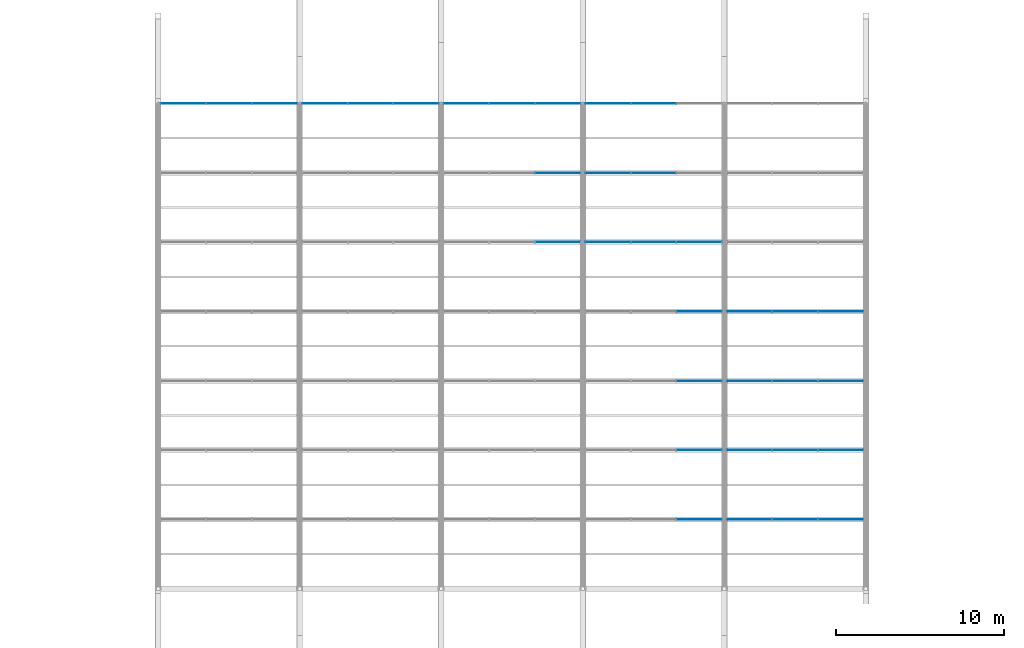
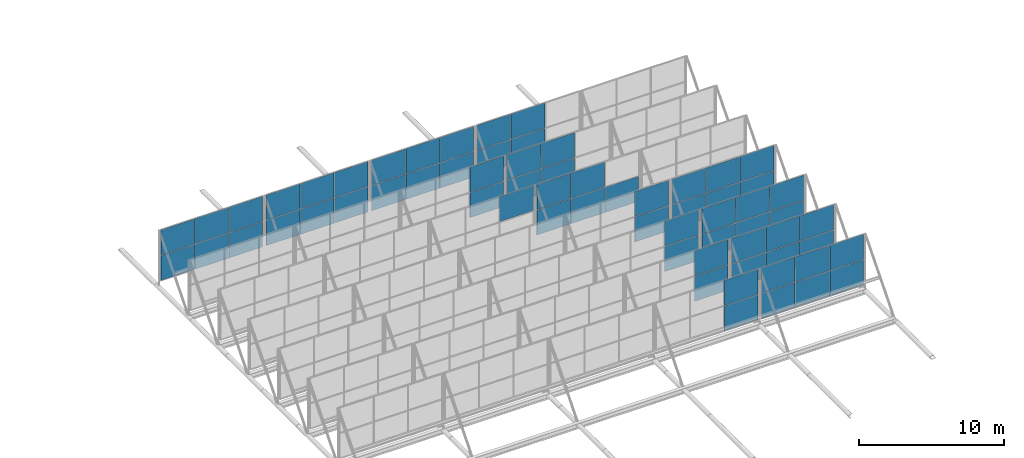
# One storey, part 66 of 77: 66 plates, 16 elements without a shape of their own.
"""IFC4 building model written with IfcOpenShell, lengths in metres."""

from ifc_helpers import new_model, si_unit, derived_unit, direction, frame, origin, origin_2d, place, context, subcontext, project, spatial, rectangle, extrude, material, layer, layer_set, type_object, element, aggregate, save


model = new_model("IFC4")

# Units and contexts
model_context = context("Model", 3, precision=1e-05, world=origin(), true_north=direction((0.0, 1.0)))
body_context = subcontext(model_context, "Body", "Model", "MODEL_VIEW")
ifc_project = project(units=[si_unit("LENGTHUNIT", "METRE"), si_unit("AREAUNIT", "SQUARE_METRE"), si_unit("VOLUMEUNIT", "CUBIC_METRE"), si_unit("PLANEANGLEUNIT", "RADIAN"), si_unit("MASSUNIT", "GRAM", prefix="KILO"), derived_unit("THERMALTRANSMITTANCEUNIT", [(si_unit("MASSUNIT", "GRAM", prefix="KILO"), 1), (si_unit("TIMEUNIT", "SECOND"), -3), (si_unit("THERMODYNAMICTEMPERATUREUNIT", "KELVIN"), -1)])], contexts=[model_context])

# Site, building, storey
site_placement = place(None, origin())
site = spatial("IfcSite", under=ifc_project, at=site_placement, CompositionType="ELEMENT")
building_placement = place(site_placement, origin())
building = spatial("IfcBuilding", under=site, at=building_placement, Name="Kharveza Railside Sports Centre", CompositionType="ELEMENT")
storey_placement = place(building_placement, frame((0.0, 0.0, 17.10009765625)))
storey = spatial("IfcBuildingStorey", under=building, at=storey_placement, Name="L04", CompositionType="ELEMENT", Elevation=17.10009765625)

# Curtain wall, plates
ifc_material = material(Name="Low-E solar-control laminated glass", Category="glass")
curtain_wall_type = type_object("IfcCurtainWallType", Name="CW-NL01", PredefinedType="NOTDEFINED", material=ifc_material)
curtain_wall_1_placement = place(storey_placement, origin())
curtain_wall_1 = element("IfcCurtainWall", 1, at=curtain_wall_1_placement, inside=storey, type_object=curtain_wall_type, Name="CW-V1NL-1-4", PredefinedType="NOTDEFINED")
ifc_layer = layer(ifc_material, 0.033935546875, Name="Low-E solar-control laminated glass")
ifc_layer_set = layer_set([ifc_layer], Name="Low-E solar-control laminated glass")
plate_type = type_object("IfcPlateType", Name="PL-CP05", PredefinedType="CURTAIN_PANEL", material=ifc_layer_set)
plate_1_placement = place(storey_placement, frame((65.719970703125, 40.1142578125, -0.5302734375), z_axis=(0.0, 0.0, 1.0), x_axis=(1.0, 0.0, 0.0)))
plate_1 = element("IfcPlate", 2, at=plate_1_placement, type_object=plate_type, Name="CW-V1NL-1-4-PN31", PredefinedType="CURTAIN_PANEL", context=body_context, shape_type="SweptSolid", body=[
    extrude(rectangle(XDim=2.679931640625, YDim=0.033935546875, at=origin_2d()), origin(), (0.0, 0.0, 1.0), 2.110107421875),
])
plate_2_placement = place(storey_placement, frame((65.719970703125, 40.1142578125, 1.61962890625), z_axis=(0.0, 0.0, 1.0), x_axis=(1.0, 0.0, 0.0)))
plate_2 = element("IfcPlate", 3, at=plate_2_placement, type_object=plate_type, Name="CW-V1NL-1-4-PN32", PredefinedType="CURTAIN_PANEL", context=body_context, shape_type="SweptSolid", body=[
    extrude(rectangle(XDim=2.679931640625, YDim=0.033935546875, at=origin_2d()), origin(), (0.0, 0.0, 1.0), 2.110107421875),
])
aggregate(curtain_wall_1, [plate_1, plate_2])

curtain_wall_2_placement = place(storey_placement, origin())
curtain_wall_2 = element("IfcCurtainWall", 4, at=curtain_wall_2_placement, inside=storey, type_object=curtain_wall_type, Name="CW-V1NL-1-5", PredefinedType="NOTDEFINED")
plate_3_placement = place(storey_placement, frame((68.679931640625, 40.1142578125, -0.5302734375), z_axis=(0.0, 0.0, 1.0), x_axis=(1.0, 0.0, 0.0)))
plate_3 = element("IfcPlate", 5, at=plate_3_placement, type_object=plate_type, Name="CW-V1NL-1-5-PN11", PredefinedType="CURTAIN_PANEL", context=body_context, shape_type="SweptSolid", body=[
    extrude(rectangle(XDim=2.679931640625, YDim=0.033935546875, at=origin_2d()), origin(), (0.0, 0.0, 1.0), 2.110107421875),
])
plate_4_placement = place(storey_placement, frame((68.679931640625, 40.1142578125, 1.61962890625), z_axis=(0.0, 0.0, 1.0), x_axis=(1.0, 0.0, 0.0)))
plate_4 = element("IfcPlate", 6, at=plate_4_placement, type_object=plate_type, Name="CW-V1NL-1-5-PN12", PredefinedType="CURTAIN_PANEL", context=body_context, shape_type="SweptSolid", body=[
    extrude(rectangle(XDim=2.679931640625, YDim=0.033935546875, at=origin_2d()), origin(), (0.0, 0.0, 1.0), 2.110107421875),
])
plate_5_placement = place(storey_placement, frame((71.39990234375, 40.1142578125, -0.5302734375), z_axis=(0.0, 0.0, 1.0), x_axis=(1.0, 0.0, 0.0)))
plate_5 = element("IfcPlate", 7, at=plate_5_placement, type_object=plate_type, Name="CW-V1NL-1-5-PN21", PredefinedType="CURTAIN_PANEL", context=body_context, shape_type="SweptSolid", body=[
    extrude(rectangle(XDim=2.679931640625, YDim=0.033935546875, at=origin_2d()), origin(), (0.0, 0.0, 1.0), 2.110107421875),
])
plate_6_placement = place(storey_placement, frame((71.39990234375, 40.1142578125, 1.61962890625), z_axis=(0.0, 0.0, 1.0), x_axis=(1.0, 0.0, 0.0)))
plate_6 = element("IfcPlate", 8, at=plate_6_placement, type_object=plate_type, Name="CW-V1NL-1-5-PN22", PredefinedType="CURTAIN_PANEL", context=body_context, shape_type="SweptSolid", body=[
    extrude(rectangle(XDim=2.679931640625, YDim=0.033935546875, at=origin_2d()), origin(), (0.0, 0.0, 1.0), 2.110107421875),
])
plate_7_placement = place(storey_placement, frame((74.1201171875, 40.1142578125, -0.5302734375), z_axis=(0.0, 0.0, 1.0), x_axis=(1.0, 0.0, 0.0)))
plate_7 = element("IfcPlate", 9, at=plate_7_placement, type_object=plate_type, Name="CW-V1NL-1-5-PN31", PredefinedType="CURTAIN_PANEL", context=body_context, shape_type="SweptSolid", body=[
    extrude(rectangle(XDim=2.679931640625, YDim=0.033935546875, at=origin_2d()), origin(), (0.0, 0.0, 1.0), 2.110107421875),
])
plate_8_placement = place(storey_placement, frame((74.1201171875, 40.1142578125, 1.61962890625), z_axis=(0.0, 0.0, 1.0), x_axis=(1.0, 0.0, 0.0)))
plate_8 = element("IfcPlate", 10, at=plate_8_placement, type_object=plate_type, Name="CW-V1NL-1-5-PN32", PredefinedType="CURTAIN_PANEL", context=body_context, shape_type="SweptSolid", body=[
    extrude(rectangle(XDim=2.679931640625, YDim=0.033935546875, at=origin_2d()), origin(), (0.0, 0.0, 1.0), 2.110107421875),
])
aggregate(curtain_wall_2, [plate_3, plate_4, plate_5, plate_6, plate_7, plate_8])

curtain_wall_3_placement = place(storey_placement, origin())
curtain_wall_3 = element("IfcCurtainWall", 11, at=curtain_wall_3_placement, inside=storey, type_object=curtain_wall_type, Name="CW-V1NL-2-4", PredefinedType="NOTDEFINED")
plate_9_placement = place(storey_placement, frame((65.719970703125, 44.228515625, -0.5302734375), z_axis=(0.0, 0.0, 1.0), x_axis=(1.0, 0.0, 0.0)))
plate_9 = element("IfcPlate", 12, at=plate_9_placement, type_object=plate_type, Name="CW-V1NL-2-4-PN31", PredefinedType="CURTAIN_PANEL", context=body_context, shape_type="SweptSolid", body=[
    extrude(rectangle(XDim=2.679931640625, YDim=0.033935546875, at=origin_2d()), origin(), (0.0, 0.0, 1.0), 2.110107421875),
])
plate_10_placement = place(storey_placement, frame((65.719970703125, 44.228515625, 1.61962890625), z_axis=(0.0, 0.0, 1.0), x_axis=(1.0, 0.0, 0.0)))
plate_10 = element("IfcPlate", 13, at=plate_10_placement, type_object=plate_type, Name="CW-V1NL-2-4-PN32", PredefinedType="CURTAIN_PANEL", context=body_context, shape_type="SweptSolid", body=[
    extrude(rectangle(XDim=2.679931640625, YDim=0.033935546875, at=origin_2d()), origin(), (0.0, 0.0, 1.0), 2.110107421875),
])
aggregate(curtain_wall_3, [plate_9, plate_10])

curtain_wall_4_placement = place(storey_placement, origin())
curtain_wall_4 = element("IfcCurtainWall", 14, at=curtain_wall_4_placement, inside=storey, type_object=curtain_wall_type, Name="CW-V1NL-2-5", PredefinedType="NOTDEFINED")
plate_11_placement = place(storey_placement, frame((68.679931640625, 44.228515625, -0.5302734375), z_axis=(0.0, 0.0, 1.0), x_axis=(1.0, 0.0, 0.0)))
plate_11 = element("IfcPlate", 15, at=plate_11_placement, type_object=plate_type, Name="CW-V1NL-2-5-PN11", PredefinedType="CURTAIN_PANEL", context=body_context, shape_type="SweptSolid", body=[
    extrude(rectangle(XDim=2.679931640625, YDim=0.033935546875, at=origin_2d()), origin(), (0.0, 0.0, 1.0), 2.110107421875),
])
plate_12_placement = place(storey_placement, frame((68.679931640625, 44.228515625, 1.61962890625), z_axis=(0.0, 0.0, 1.0), x_axis=(1.0, 0.0, 0.0)))
plate_12 = element("IfcPlate", 16, at=plate_12_placement, type_object=plate_type, Name="CW-V1NL-2-5-PN12", PredefinedType="CURTAIN_PANEL", context=body_context, shape_type="SweptSolid", body=[
    extrude(rectangle(XDim=2.679931640625, YDim=0.033935546875, at=origin_2d()), origin(), (0.0, 0.0, 1.0), 2.110107421875),
])
plate_13_placement = place(storey_placement, frame((71.39990234375, 44.228515625, -0.5302734375), z_axis=(0.0, 0.0, 1.0), x_axis=(1.0, 0.0, 0.0)))
plate_13 = element("IfcPlate", 17, at=plate_13_placement, type_object=plate_type, Name="CW-V1NL-2-5-PN21", PredefinedType="CURTAIN_PANEL", context=body_context, shape_type="SweptSolid", body=[
    extrude(rectangle(XDim=2.679931640625, YDim=0.033935546875, at=origin_2d()), origin(), (0.0, 0.0, 1.0), 2.110107421875),
])
plate_14_placement = place(storey_placement, frame((71.39990234375, 44.228515625, 1.61962890625), z_axis=(0.0, 0.0, 1.0), x_axis=(1.0, 0.0, 0.0)))
plate_14 = element("IfcPlate", 18, at=plate_14_placement, type_object=plate_type, Name="CW-V1NL-2-5-PN22", PredefinedType="CURTAIN_PANEL", context=body_context, shape_type="SweptSolid", body=[
    extrude(rectangle(XDim=2.679931640625, YDim=0.033935546875, at=origin_2d()), origin(), (0.0, 0.0, 1.0), 2.110107421875),
])
plate_15_placement = place(storey_placement, frame((74.1201171875, 44.228515625, -0.5302734375), z_axis=(0.0, 0.0, 1.0), x_axis=(1.0, 0.0, 0.0)))
plate_15 = element("IfcPlate", 19, at=plate_15_placement, type_object=plate_type, Name="CW-V1NL-2-5-PN31", PredefinedType="CURTAIN_PANEL", context=body_context, shape_type="SweptSolid", body=[
    extrude(rectangle(XDim=2.679931640625, YDim=0.033935546875, at=origin_2d()), origin(), (0.0, 0.0, 1.0), 2.110107421875),
])
plate_16_placement = place(storey_placement, frame((74.1201171875, 44.228515625, 1.61962890625), z_axis=(0.0, 0.0, 1.0), x_axis=(1.0, 0.0, 0.0)))
plate_16 = element("IfcPlate", 20, at=plate_16_placement, type_object=plate_type, Name="CW-V1NL-2-5-PN32", PredefinedType="CURTAIN_PANEL", context=body_context, shape_type="SweptSolid", body=[
    extrude(rectangle(XDim=2.679931640625, YDim=0.033935546875, at=origin_2d()), origin(), (0.0, 0.0, 1.0), 2.110107421875),
])
aggregate(curtain_wall_4, [plate_11, plate_12, plate_13, plate_14, plate_15, plate_16])

curtain_wall_5_placement = place(storey_placement, origin())
curtain_wall_5 = element("IfcCurtainWall", 21, at=curtain_wall_5_placement, inside=storey, type_object=curtain_wall_type, Name="CW-V1NL-3-4", PredefinedType="NOTDEFINED")
plate_17_placement = place(storey_placement, frame((65.719970703125, 48.343017578125, -0.5302734375), z_axis=(0.0, 0.0, 1.0), x_axis=(1.0, 0.0, 0.0)))
plate_17 = element("IfcPlate", 22, at=plate_17_placement, type_object=plate_type, Name="CW-V1NL-3-4-PN31", PredefinedType="CURTAIN_PANEL", context=body_context, shape_type="SweptSolid", body=[
    extrude(rectangle(XDim=2.679931640625, YDim=0.033935546875, at=origin_2d()), origin(), (0.0, 0.0, 1.0), 2.110107421875),
])
plate_18_placement = place(storey_placement, frame((65.719970703125, 48.343017578125, 1.61962890625), z_axis=(0.0, 0.0, 1.0), x_axis=(1.0, 0.0, 0.0)))
plate_18 = element("IfcPlate", 23, at=plate_18_placement, type_object=plate_type, Name="CW-V1NL-3-4-PN32", PredefinedType="CURTAIN_PANEL", context=body_context, shape_type="SweptSolid", body=[
    extrude(rectangle(XDim=2.679931640625, YDim=0.033935546875, at=origin_2d()), origin(), (0.0, 0.0, 1.0), 2.110107421875),
])
aggregate(curtain_wall_5, [plate_17, plate_18])

curtain_wall_6_placement = place(storey_placement, origin())
curtain_wall_6 = element("IfcCurtainWall", 24, at=curtain_wall_6_placement, inside=storey, type_object=curtain_wall_type, Name="CW-V1NL-3-5", PredefinedType="NOTDEFINED")
plate_19_placement = place(storey_placement, frame((68.679931640625, 48.343017578125, -0.5302734375), z_axis=(0.0, 0.0, 1.0), x_axis=(1.0, 0.0, 0.0)))
plate_19 = element("IfcPlate", 25, at=plate_19_placement, type_object=plate_type, Name="CW-V1NL-3-5-PN11", PredefinedType="CURTAIN_PANEL", context=body_context, shape_type="SweptSolid", body=[
    extrude(rectangle(XDim=2.679931640625, YDim=0.033935546875, at=origin_2d()), origin(), (0.0, 0.0, 1.0), 2.110107421875),
])
plate_20_placement = place(storey_placement, frame((68.679931640625, 48.343017578125, 1.61962890625), z_axis=(0.0, 0.0, 1.0), x_axis=(1.0, 0.0, 0.0)))
plate_20 = element("IfcPlate", 26, at=plate_20_placement, type_object=plate_type, Name="CW-V1NL-3-5-PN12", PredefinedType="CURTAIN_PANEL", context=body_context, shape_type="SweptSolid", body=[
    extrude(rectangle(XDim=2.679931640625, YDim=0.033935546875, at=origin_2d()), origin(), (0.0, 0.0, 1.0), 2.110107421875),
])
plate_21_placement = place(storey_placement, frame((71.39990234375, 48.343017578125, -0.5302734375), z_axis=(0.0, 0.0, 1.0), x_axis=(1.0, 0.0, 0.0)))
plate_21 = element("IfcPlate", 27, at=plate_21_placement, type_object=plate_type, Name="CW-V1NL-3-5-PN21", PredefinedType="CURTAIN_PANEL", context=body_context, shape_type="SweptSolid", body=[
    extrude(rectangle(XDim=2.679931640625, YDim=0.033935546875, at=origin_2d()), origin(), (0.0, 0.0, 1.0), 2.110107421875),
])
plate_22_placement = place(storey_placement, frame((71.39990234375, 48.343017578125, 1.61962890625), z_axis=(0.0, 0.0, 1.0), x_axis=(1.0, 0.0, 0.0)))
plate_22 = element("IfcPlate", 28, at=plate_22_placement, type_object=plate_type, Name="CW-V1NL-3-5-PN22", PredefinedType="CURTAIN_PANEL", context=body_context, shape_type="SweptSolid", body=[
    extrude(rectangle(XDim=2.679931640625, YDim=0.033935546875, at=origin_2d()), origin(), (0.0, 0.0, 1.0), 2.110107421875),
])
plate_23_placement = place(storey_placement, frame((74.1201171875, 48.343017578125, -0.5302734375), z_axis=(0.0, 0.0, 1.0), x_axis=(1.0, 0.0, 0.0)))
plate_23 = element("IfcPlate", 29, at=plate_23_placement, type_object=plate_type, Name="CW-V1NL-3-5-PN31", PredefinedType="CURTAIN_PANEL", context=body_context, shape_type="SweptSolid", body=[
    extrude(rectangle(XDim=2.679931640625, YDim=0.033935546875, at=origin_2d()), origin(), (0.0, 0.0, 1.0), 2.110107421875),
])
plate_24_placement = place(storey_placement, frame((74.1201171875, 48.343017578125, 1.61962890625), z_axis=(0.0, 0.0, 1.0), x_axis=(1.0, 0.0, 0.0)))
plate_24 = element("IfcPlate", 30, at=plate_24_placement, type_object=plate_type, Name="CW-V1NL-3-5-PN32", PredefinedType="CURTAIN_PANEL", context=body_context, shape_type="SweptSolid", body=[
    extrude(rectangle(XDim=2.679931640625, YDim=0.033935546875, at=origin_2d()), origin(), (0.0, 0.0, 1.0), 2.110107421875),
])
aggregate(curtain_wall_6, [plate_19, plate_20, plate_21, plate_22, plate_23, plate_24])

curtain_wall_7_placement = place(storey_placement, origin())
curtain_wall_7 = element("IfcCurtainWall", 31, at=curtain_wall_7_placement, inside=storey, type_object=curtain_wall_type, Name="CW-V1NL-4-4", PredefinedType="NOTDEFINED")
plate_25_placement = place(storey_placement, frame((65.719970703125, 52.45703125, -0.5302734375), z_axis=(0.0, 0.0, 1.0), x_axis=(1.0, 0.0, 0.0)))
plate_25 = element("IfcPlate", 32, at=plate_25_placement, type_object=plate_type, Name="CW-V1NL-4-4-PN31", PredefinedType="CURTAIN_PANEL", context=body_context, shape_type="SweptSolid", body=[
    extrude(rectangle(XDim=2.679931640625, YDim=0.033935546875, at=origin_2d()), origin(), (0.0, 0.0, 1.0), 2.110107421875),
])
plate_26_placement = place(storey_placement, frame((65.719970703125, 52.45703125, 1.61962890625), z_axis=(0.0, 0.0, 1.0), x_axis=(1.0, 0.0, 0.0)))
plate_26 = element("IfcPlate", 33, at=plate_26_placement, type_object=plate_type, Name="CW-V1NL-4-4-PN32", PredefinedType="CURTAIN_PANEL", context=body_context, shape_type="SweptSolid", body=[
    extrude(rectangle(XDim=2.679931640625, YDim=0.033935546875, at=origin_2d()), origin(), (0.0, 0.0, 1.0), 2.110107421875),
])
aggregate(curtain_wall_7, [plate_25, plate_26])

curtain_wall_8_placement = place(storey_placement, origin())
curtain_wall_8 = element("IfcCurtainWall", 34, at=curtain_wall_8_placement, inside=storey, type_object=curtain_wall_type, Name="CW-V1NL-4-5", PredefinedType="NOTDEFINED")
plate_27_placement = place(storey_placement, frame((68.679931640625, 52.45703125, -0.5302734375), z_axis=(0.0, 0.0, 1.0), x_axis=(1.0, 0.0, 0.0)))
plate_27 = element("IfcPlate", 35, at=plate_27_placement, type_object=plate_type, Name="CW-V1NL-4-5-PN11", PredefinedType="CURTAIN_PANEL", context=body_context, shape_type="SweptSolid", body=[
    extrude(rectangle(XDim=2.679931640625, YDim=0.033935546875, at=origin_2d()), origin(), (0.0, 0.0, 1.0), 2.110107421875),
])
plate_28_placement = place(storey_placement, frame((68.679931640625, 52.45703125, 1.61962890625), z_axis=(0.0, 0.0, 1.0), x_axis=(1.0, 0.0, 0.0)))
plate_28 = element("IfcPlate", 36, at=plate_28_placement, type_object=plate_type, Name="CW-V1NL-4-5-PN12", PredefinedType="CURTAIN_PANEL", context=body_context, shape_type="SweptSolid", body=[
    extrude(rectangle(XDim=2.679931640625, YDim=0.033935546875, at=origin_2d()), origin(), (0.0, 0.0, 1.0), 2.110107421875),
])
plate_29_placement = place(storey_placement, frame((71.39990234375, 52.45703125, -0.5302734375), z_axis=(0.0, 0.0, 1.0), x_axis=(1.0, 0.0, 0.0)))
plate_29 = element("IfcPlate", 37, at=plate_29_placement, type_object=plate_type, Name="CW-V1NL-4-5-PN21", PredefinedType="CURTAIN_PANEL", context=body_context, shape_type="SweptSolid", body=[
    extrude(rectangle(XDim=2.679931640625, YDim=0.033935546875, at=origin_2d()), origin(), (0.0, 0.0, 1.0), 2.110107421875),
])
plate_30_placement = place(storey_placement, frame((71.39990234375, 52.45703125, 1.61962890625), z_axis=(0.0, 0.0, 1.0), x_axis=(1.0, 0.0, 0.0)))
plate_30 = element("IfcPlate", 38, at=plate_30_placement, type_object=plate_type, Name="CW-V1NL-4-5-PN22", PredefinedType="CURTAIN_PANEL", context=body_context, shape_type="SweptSolid", body=[
    extrude(rectangle(XDim=2.679931640625, YDim=0.033935546875, at=origin_2d()), origin(), (0.0, 0.0, 1.0), 2.110107421875),
])
plate_31_placement = place(storey_placement, frame((74.1201171875, 52.45703125, -0.5302734375), z_axis=(0.0, 0.0, 1.0), x_axis=(1.0, 0.0, 0.0)))
plate_31 = element("IfcPlate", 39, at=plate_31_placement, type_object=plate_type, Name="CW-V1NL-4-5-PN31", PredefinedType="CURTAIN_PANEL", context=body_context, shape_type="SweptSolid", body=[
    extrude(rectangle(XDim=2.679931640625, YDim=0.033935546875, at=origin_2d()), origin(), (0.0, 0.0, 1.0), 2.110107421875),
])
plate_32_placement = place(storey_placement, frame((74.1201171875, 52.45703125, 1.61962890625), z_axis=(0.0, 0.0, 1.0), x_axis=(1.0, 0.0, 0.0)))
plate_32 = element("IfcPlate", 40, at=plate_32_placement, type_object=plate_type, Name="CW-V1NL-4-5-PN32", PredefinedType="CURTAIN_PANEL", context=body_context, shape_type="SweptSolid", body=[
    extrude(rectangle(XDim=2.679931640625, YDim=0.033935546875, at=origin_2d()), origin(), (0.0, 0.0, 1.0), 2.110107421875),
])
aggregate(curtain_wall_8, [plate_27, plate_28, plate_29, plate_30, plate_31, plate_32])

# Curtain wall, plate
curtain_wall_9_placement = place(storey_placement, origin())
curtain_wall_9 = element("IfcCurtainWall", 41, at=curtain_wall_9_placement, inside=storey, type_object=curtain_wall_type, Name="CW-V1NL-5-3", PredefinedType="NOTDEFINED")
plate_33_placement = place(storey_placement, frame((57.320068359375, 56.5712890625, 1.61962890625), z_axis=(0.0, 0.0, 1.0), x_axis=(1.0, 0.0, 0.0)))
plate_33 = element("IfcPlate", 42, at=plate_33_placement, type_object=plate_type, Name="CW-V1NL-5-3-PN32", PredefinedType="CURTAIN_PANEL", context=body_context, shape_type="SweptSolid", body=[
    extrude(rectangle(XDim=2.679931640625, YDim=0.033935546875, at=origin_2d()), origin(), (0.0, 0.0, 1.0), 2.110107421875),
])
aggregate(curtain_wall_9, [plate_33])

# Curtain wall, plates
curtain_wall_10_placement = place(storey_placement, origin())
curtain_wall_10 = element("IfcCurtainWall", 43, at=curtain_wall_10_placement, inside=storey, type_object=curtain_wall_type, Name="CW-V1NL-5-4", PredefinedType="NOTDEFINED")
plate_34_placement = place(storey_placement, frame((60.280029296875, 56.5712890625, -0.5302734375), z_axis=(0.0, 0.0, 1.0), x_axis=(1.0, 0.0, 0.0)))
plate_34 = element("IfcPlate", 44, at=plate_34_placement, type_object=plate_type, Name="CW-V1NL-5-4-PN11", PredefinedType="CURTAIN_PANEL", context=body_context, shape_type="SweptSolid", body=[
    extrude(rectangle(XDim=2.679931640625, YDim=0.033935546875, at=origin_2d()), origin(), (0.0, 0.0, 1.0), 2.110107421875),
])
plate_35_placement = place(storey_placement, frame((60.280029296875, 56.5712890625, 1.61962890625), z_axis=(0.0, 0.0, 1.0), x_axis=(1.0, 0.0, 0.0)))
plate_35 = element("IfcPlate", 45, at=plate_35_placement, type_object=plate_type, Name="CW-V1NL-5-4-PN12", PredefinedType="CURTAIN_PANEL", context=body_context, shape_type="SweptSolid", body=[
    extrude(rectangle(XDim=2.679931640625, YDim=0.033935546875, at=origin_2d()), origin(), (0.0, 0.0, 1.0), 2.110107421875),
])
plate_36_placement = place(storey_placement, frame((63.0, 56.5712890625, -0.5302734375), z_axis=(0.0, 0.0, 1.0), x_axis=(1.0, 0.0, 0.0)))
plate_36 = element("IfcPlate", 46, at=plate_36_placement, type_object=plate_type, Name="CW-V1NL-5-4-PN21", PredefinedType="CURTAIN_PANEL", context=body_context, shape_type="SweptSolid", body=[
    extrude(rectangle(XDim=2.679931640625, YDim=0.033935546875, at=origin_2d()), origin(), (0.0, 0.0, 1.0), 2.110107421875),
])
plate_37_placement = place(storey_placement, frame((63.0, 56.5712890625, 1.61962890625), z_axis=(0.0, 0.0, 1.0), x_axis=(1.0, 0.0, 0.0)))
plate_37 = element("IfcPlate", 47, at=plate_37_placement, type_object=plate_type, Name="CW-V1NL-5-4-PN22", PredefinedType="CURTAIN_PANEL", context=body_context, shape_type="SweptSolid", body=[
    extrude(rectangle(XDim=2.679931640625, YDim=0.033935546875, at=origin_2d()), origin(), (0.0, 0.0, 1.0), 2.110107421875),
])
plate_38_placement = place(storey_placement, frame((65.719970703125, 56.5712890625, -0.5302734375), z_axis=(0.0, 0.0, 1.0), x_axis=(1.0, 0.0, 0.0)))
plate_38 = element("IfcPlate", 48, at=plate_38_placement, type_object=plate_type, Name="CW-V1NL-5-4-PN31", PredefinedType="CURTAIN_PANEL", context=body_context, shape_type="SweptSolid", body=[
    extrude(rectangle(XDim=2.679931640625, YDim=0.033935546875, at=origin_2d()), origin(), (0.0, 0.0, 1.0), 2.110107421875),
])
aggregate(curtain_wall_10, [plate_34, plate_35, plate_36, plate_37, plate_38])

curtain_wall_11_placement = place(storey_placement, origin())
curtain_wall_11 = element("IfcCurtainWall", 49, at=curtain_wall_11_placement, inside=storey, type_object=curtain_wall_type, Name="CW-V1NL-6-3", PredefinedType="NOTDEFINED")
plate_39_placement = place(storey_placement, frame((57.320068359375, 60.685791015625, -0.5302734375), z_axis=(0.0, 0.0, 1.0), x_axis=(1.0, 0.0, 0.0)))
plate_39 = element("IfcPlate", 50, at=plate_39_placement, type_object=plate_type, Name="CW-V1NL-6-3-PN31", PredefinedType="CURTAIN_PANEL", context=body_context, shape_type="SweptSolid", body=[
    extrude(rectangle(XDim=2.679931640625, YDim=0.033935546875, at=origin_2d()), origin(), (0.0, 0.0, 1.0), 2.110107421875),
])
plate_40_placement = place(storey_placement, frame((57.320068359375, 60.685791015625, 1.61962890625), z_axis=(0.0, 0.0, 1.0), x_axis=(1.0, 0.0, 0.0)))
plate_40 = element("IfcPlate", 51, at=plate_40_placement, type_object=plate_type, Name="CW-V1NL-6-3-PN32", PredefinedType="CURTAIN_PANEL", context=body_context, shape_type="SweptSolid", body=[
    extrude(rectangle(XDim=2.679931640625, YDim=0.033935546875, at=origin_2d()), origin(), (0.0, 0.0, 1.0), 2.110107421875),
])
aggregate(curtain_wall_11, [plate_39, plate_40])

curtain_wall_12_placement = place(storey_placement, origin())
curtain_wall_12 = element("IfcCurtainWall", 52, at=curtain_wall_12_placement, inside=storey, type_object=curtain_wall_type, Name="CW-V1NL-6-4", PredefinedType="NOTDEFINED")
plate_41_placement = place(storey_placement, frame((60.280029296875, 60.685791015625, -0.5302734375), z_axis=(0.0, 0.0, 1.0), x_axis=(1.0, 0.0, 0.0)))
plate_41 = element("IfcPlate", 53, at=plate_41_placement, type_object=plate_type, Name="CW-V1NL-6-4-PN11", PredefinedType="CURTAIN_PANEL", context=body_context, shape_type="SweptSolid", body=[
    extrude(rectangle(XDim=2.679931640625, YDim=0.033935546875, at=origin_2d()), origin(), (0.0, 0.0, 1.0), 2.110107421875),
])
plate_42_placement = place(storey_placement, frame((60.280029296875, 60.685791015625, 1.61962890625), z_axis=(0.0, 0.0, 1.0), x_axis=(1.0, 0.0, 0.0)))
plate_42 = element("IfcPlate", 54, at=plate_42_placement, type_object=plate_type, Name="CW-V1NL-6-4-PN12", PredefinedType="CURTAIN_PANEL", context=body_context, shape_type="SweptSolid", body=[
    extrude(rectangle(XDim=2.679931640625, YDim=0.033935546875, at=origin_2d()), origin(), (0.0, 0.0, 1.0), 2.110107421875),
])
plate_43_placement = place(storey_placement, frame((63.0, 60.685791015625, -0.5302734375), z_axis=(0.0, 0.0, 1.0), x_axis=(1.0, 0.0, 0.0)))
plate_43 = element("IfcPlate", 55, at=plate_43_placement, type_object=plate_type, Name="CW-V1NL-6-4-PN21", PredefinedType="CURTAIN_PANEL", context=body_context, shape_type="SweptSolid", body=[
    extrude(rectangle(XDim=2.679931640625, YDim=0.033935546875, at=origin_2d()), origin(), (0.0, 0.0, 1.0), 2.110107421875),
])
plate_44_placement = place(storey_placement, frame((63.0, 60.685791015625, 1.61962890625), z_axis=(0.0, 0.0, 1.0), x_axis=(1.0, 0.0, 0.0)))
plate_44 = element("IfcPlate", 56, at=plate_44_placement, type_object=plate_type, Name="CW-V1NL-6-4-PN22", PredefinedType="CURTAIN_PANEL", context=body_context, shape_type="SweptSolid", body=[
    extrude(rectangle(XDim=2.679931640625, YDim=0.033935546875, at=origin_2d()), origin(), (0.0, 0.0, 1.0), 2.110107421875),
])
aggregate(curtain_wall_12, [plate_41, plate_42, plate_43, plate_44])

curtain_wall_13_placement = place(storey_placement, origin())
curtain_wall_13 = element("IfcCurtainWall", 57, at=curtain_wall_13_placement, inside=storey, type_object=curtain_wall_type, Name="CW-V1NL-7-1", PredefinedType="NOTDEFINED")
plate_45_placement = place(storey_placement, frame((35.080078125, 64.800048828125, -0.5302734375), z_axis=(0.0, 0.0, 1.0), x_axis=(1.0, 0.0, 0.0)))
plate_45 = element("IfcPlate", 58, at=plate_45_placement, type_object=plate_type, Name="CW-V1NL-7-1-PN11", PredefinedType="CURTAIN_PANEL", context=body_context, shape_type="SweptSolid", body=[
    extrude(rectangle(XDim=2.679931640625, YDim=0.033935546875, at=origin_2d()), origin(), (0.0, 0.0, 1.0), 2.110107421875),
])
plate_46_placement = place(storey_placement, frame((35.080078125, 64.800048828125, 1.61962890625), z_axis=(0.0, 0.0, 1.0), x_axis=(1.0, 0.0, 0.0)))
plate_46 = element("IfcPlate", 59, at=plate_46_placement, type_object=plate_type, Name="CW-V1NL-7-1-PN12", PredefinedType="CURTAIN_PANEL", context=body_context, shape_type="SweptSolid", body=[
    extrude(rectangle(XDim=2.679931640625, YDim=0.033935546875, at=origin_2d()), origin(), (0.0, 0.0, 1.0), 2.110107421875),
])
plate_47_placement = place(storey_placement, frame((37.800048828125, 64.800048828125, -0.5302734375), z_axis=(0.0, 0.0, 1.0), x_axis=(1.0, 0.0, 0.0)))
plate_47 = element("IfcPlate", 60, at=plate_47_placement, type_object=plate_type, Name="CW-V1NL-7-1-PN21", PredefinedType="CURTAIN_PANEL", context=body_context, shape_type="SweptSolid", body=[
    extrude(rectangle(XDim=2.679931640625, YDim=0.033935546875, at=origin_2d()), origin(), (0.0, 0.0, 1.0), 2.110107421875),
])
plate_48_placement = place(storey_placement, frame((37.800048828125, 64.800048828125, 1.61962890625), z_axis=(0.0, 0.0, 1.0), x_axis=(1.0, 0.0, 0.0)))
plate_48 = element("IfcPlate", 61, at=plate_48_placement, type_object=plate_type, Name="CW-V1NL-7-1-PN22", PredefinedType="CURTAIN_PANEL", context=body_context, shape_type="SweptSolid", body=[
    extrude(rectangle(XDim=2.679931640625, YDim=0.033935546875, at=origin_2d()), origin(), (0.0, 0.0, 1.0), 2.110107421875),
])
plate_49_placement = place(storey_placement, frame((40.52001953125, 64.800048828125, -0.5302734375), z_axis=(0.0, 0.0, 1.0), x_axis=(1.0, 0.0, 0.0)))
plate_49 = element("IfcPlate", 62, at=plate_49_placement, type_object=plate_type, Name="CW-V1NL-7-1-PN31", PredefinedType="CURTAIN_PANEL", context=body_context, shape_type="SweptSolid", body=[
    extrude(rectangle(XDim=2.679931640625, YDim=0.033935546875, at=origin_2d()), origin(), (0.0, 0.0, 1.0), 2.110107421875),
])
plate_50_placement = place(storey_placement, frame((40.52001953125, 64.800048828125, 1.61962890625), z_axis=(0.0, 0.0, 1.0), x_axis=(1.0, 0.0, 0.0)))
plate_50 = element("IfcPlate", 63, at=plate_50_placement, type_object=plate_type, Name="CW-V1NL-7-1-PN32", PredefinedType="CURTAIN_PANEL", context=body_context, shape_type="SweptSolid", body=[
    extrude(rectangle(XDim=2.679931640625, YDim=0.033935546875, at=origin_2d()), origin(), (0.0, 0.0, 1.0), 2.110107421875),
])
aggregate(curtain_wall_13, [plate_45, plate_46, plate_47, plate_48, plate_49, plate_50])

curtain_wall_14_placement = place(storey_placement, origin())
curtain_wall_14 = element("IfcCurtainWall", 64, at=curtain_wall_14_placement, inside=storey, type_object=curtain_wall_type, Name="CW-V1NL-7-2", PredefinedType="NOTDEFINED")
plate_51_placement = place(storey_placement, frame((43.47998046875, 64.800048828125, -0.5302734375), z_axis=(0.0, 0.0, 1.0), x_axis=(1.0, 0.0, 0.0)))
plate_51 = element("IfcPlate", 65, at=plate_51_placement, type_object=plate_type, Name="CW-V1NL-7-2-PN11", PredefinedType="CURTAIN_PANEL", context=body_context, shape_type="SweptSolid", body=[
    extrude(rectangle(XDim=2.679931640625, YDim=0.033935546875, at=origin_2d()), origin(), (0.0, 0.0, 1.0), 2.110107421875),
])
plate_52_placement = place(storey_placement, frame((43.47998046875, 64.800048828125, 1.61962890625), z_axis=(0.0, 0.0, 1.0), x_axis=(1.0, 0.0, 0.0)))
plate_52 = element("IfcPlate", 66, at=plate_52_placement, type_object=plate_type, Name="CW-V1NL-7-2-PN12", PredefinedType="CURTAIN_PANEL", context=body_context, shape_type="SweptSolid", body=[
    extrude(rectangle(XDim=2.679931640625, YDim=0.033935546875, at=origin_2d()), origin(), (0.0, 0.0, 1.0), 2.110107421875),
])
plate_53_placement = place(storey_placement, frame((46.199951171875, 64.800048828125, -0.5302734375), z_axis=(0.0, 0.0, 1.0), x_axis=(1.0, 0.0, 0.0)))
plate_53 = element("IfcPlate", 67, at=plate_53_placement, type_object=plate_type, Name="CW-V1NL-7-2-PN21", PredefinedType="CURTAIN_PANEL", context=body_context, shape_type="SweptSolid", body=[
    extrude(rectangle(XDim=2.679931640625, YDim=0.033935546875, at=origin_2d()), origin(), (0.0, 0.0, 1.0), 2.110107421875),
])
plate_54_placement = place(storey_placement, frame((46.199951171875, 64.800048828125, 1.61962890625), z_axis=(0.0, 0.0, 1.0), x_axis=(1.0, 0.0, 0.0)))
plate_54 = element("IfcPlate", 68, at=plate_54_placement, type_object=plate_type, Name="CW-V1NL-7-2-PN22", PredefinedType="CURTAIN_PANEL", context=body_context, shape_type="SweptSolid", body=[
    extrude(rectangle(XDim=2.679931640625, YDim=0.033935546875, at=origin_2d()), origin(), (0.0, 0.0, 1.0), 2.110107421875),
])
plate_55_placement = place(storey_placement, frame((48.919921875, 64.800048828125, -0.5302734375), z_axis=(0.0, 0.0, 1.0), x_axis=(1.0, 0.0, 0.0)))
plate_55 = element("IfcPlate", 69, at=plate_55_placement, type_object=plate_type, Name="CW-V1NL-7-2-PN31", PredefinedType="CURTAIN_PANEL", context=body_context, shape_type="SweptSolid", body=[
    extrude(rectangle(XDim=2.679931640625, YDim=0.033935546875, at=origin_2d()), origin(), (0.0, 0.0, 1.0), 2.110107421875),
])
plate_56_placement = place(storey_placement, frame((48.919921875, 64.800048828125, 1.61962890625), z_axis=(0.0, 0.0, 1.0), x_axis=(1.0, 0.0, 0.0)))
plate_56 = element("IfcPlate", 70, at=plate_56_placement, type_object=plate_type, Name="CW-V1NL-7-2-PN32", PredefinedType="CURTAIN_PANEL", context=body_context, shape_type="SweptSolid", body=[
    extrude(rectangle(XDim=2.679931640625, YDim=0.033935546875, at=origin_2d()), origin(), (0.0, 0.0, 1.0), 2.110107421875),
])
aggregate(curtain_wall_14, [plate_51, plate_52, plate_53, plate_54, plate_55, plate_56])

curtain_wall_15_placement = place(storey_placement, origin())
curtain_wall_15 = element("IfcCurtainWall", 71, at=curtain_wall_15_placement, inside=storey, type_object=curtain_wall_type, Name="CW-V1NL-7-3", PredefinedType="NOTDEFINED")
plate_57_placement = place(storey_placement, frame((51.8798828125, 64.800048828125, -0.5302734375), z_axis=(0.0, 0.0, 1.0), x_axis=(1.0, 0.0, 0.0)))
plate_57 = element("IfcPlate", 72, at=plate_57_placement, type_object=plate_type, Name="CW-V1NL-7-3-PN11", PredefinedType="CURTAIN_PANEL", context=body_context, shape_type="SweptSolid", body=[
    extrude(rectangle(XDim=2.679931640625, YDim=0.033935546875, at=origin_2d()), origin(), (0.0, 0.0, 1.0), 2.110107421875),
])
plate_58_placement = place(storey_placement, frame((51.8798828125, 64.800048828125, 1.61962890625), z_axis=(0.0, 0.0, 1.0), x_axis=(1.0, 0.0, 0.0)))
plate_58 = element("IfcPlate", 73, at=plate_58_placement, type_object=plate_type, Name="CW-V1NL-7-3-PN12", PredefinedType="CURTAIN_PANEL", context=body_context, shape_type="SweptSolid", body=[
    extrude(rectangle(XDim=2.679931640625, YDim=0.033935546875, at=origin_2d()), origin(), (0.0, 0.0, 1.0), 2.110107421875),
])
plate_59_placement = place(storey_placement, frame((54.60009765625, 64.800048828125, -0.5302734375), z_axis=(0.0, 0.0, 1.0), x_axis=(1.0, 0.0, 0.0)))
plate_59 = element("IfcPlate", 74, at=plate_59_placement, type_object=plate_type, Name="CW-V1NL-7-3-PN21", PredefinedType="CURTAIN_PANEL", context=body_context, shape_type="SweptSolid", body=[
    extrude(rectangle(XDim=2.679931640625, YDim=0.033935546875, at=origin_2d()), origin(), (0.0, 0.0, 1.0), 2.110107421875),
])
plate_60_placement = place(storey_placement, frame((54.60009765625, 64.800048828125, 1.61962890625), z_axis=(0.0, 0.0, 1.0), x_axis=(1.0, 0.0, 0.0)))
plate_60 = element("IfcPlate", 75, at=plate_60_placement, type_object=plate_type, Name="CW-V1NL-7-3-PN22", PredefinedType="CURTAIN_PANEL", context=body_context, shape_type="SweptSolid", body=[
    extrude(rectangle(XDim=2.679931640625, YDim=0.033935546875, at=origin_2d()), origin(), (0.0, 0.0, 1.0), 2.110107421875),
])
plate_61_placement = place(storey_placement, frame((57.320068359375, 64.800048828125, -0.5302734375), z_axis=(0.0, 0.0, 1.0), x_axis=(1.0, 0.0, 0.0)))
plate_61 = element("IfcPlate", 76, at=plate_61_placement, type_object=plate_type, Name="CW-V1NL-7-3-PN31", PredefinedType="CURTAIN_PANEL", context=body_context, shape_type="SweptSolid", body=[
    extrude(rectangle(XDim=2.679931640625, YDim=0.033935546875, at=origin_2d()), origin(), (0.0, 0.0, 1.0), 2.110107421875),
])
plate_62_placement = place(storey_placement, frame((57.320068359375, 64.800048828125, 1.61962890625), z_axis=(0.0, 0.0, 1.0), x_axis=(1.0, 0.0, 0.0)))
plate_62 = element("IfcPlate", 77, at=plate_62_placement, type_object=plate_type, Name="CW-V1NL-7-3-PN32", PredefinedType="CURTAIN_PANEL", context=body_context, shape_type="SweptSolid", body=[
    extrude(rectangle(XDim=2.679931640625, YDim=0.033935546875, at=origin_2d()), origin(), (0.0, 0.0, 1.0), 2.110107421875),
])
aggregate(curtain_wall_15, [plate_57, plate_58, plate_59, plate_60, plate_61, plate_62])

curtain_wall_16_placement = place(storey_placement, origin())
curtain_wall_16 = element("IfcCurtainWall", 78, at=curtain_wall_16_placement, inside=storey, type_object=curtain_wall_type, Name="CW-V1NL-7-4", PredefinedType="NOTDEFINED")
plate_63_placement = place(storey_placement, frame((60.280029296875, 64.800048828125, -0.5302734375), z_axis=(0.0, 0.0, 1.0), x_axis=(1.0, 0.0, 0.0)))
plate_63 = element("IfcPlate", 79, at=plate_63_placement, type_object=plate_type, Name="CW-V1NL-7-4-PN11", PredefinedType="CURTAIN_PANEL", context=body_context, shape_type="SweptSolid", body=[
    extrude(rectangle(XDim=2.679931640625, YDim=0.033935546875, at=origin_2d()), origin(), (0.0, 0.0, 1.0), 2.110107421875),
])
plate_64_placement = place(storey_placement, frame((60.280029296875, 64.800048828125, 1.61962890625), z_axis=(0.0, 0.0, 1.0), x_axis=(1.0, 0.0, 0.0)))
plate_64 = element("IfcPlate", 80, at=plate_64_placement, type_object=plate_type, Name="CW-V1NL-7-4-PN12", PredefinedType="CURTAIN_PANEL", context=body_context, shape_type="SweptSolid", body=[
    extrude(rectangle(XDim=2.679931640625, YDim=0.033935546875, at=origin_2d()), origin(), (0.0, 0.0, 1.0), 2.110107421875),
])
plate_65_placement = place(storey_placement, frame((63.0, 64.800048828125, -0.5302734375), z_axis=(0.0, 0.0, 1.0), x_axis=(1.0, 0.0, 0.0)))
plate_65 = element("IfcPlate", 81, at=plate_65_placement, type_object=plate_type, Name="CW-V1NL-7-4-PN21", PredefinedType="CURTAIN_PANEL", context=body_context, shape_type="SweptSolid", body=[
    extrude(rectangle(XDim=2.679931640625, YDim=0.033935546875, at=origin_2d()), origin(), (0.0, 0.0, 1.0), 2.110107421875),
])
plate_66_placement = place(storey_placement, frame((63.0, 64.800048828125, 1.61962890625), z_axis=(0.0, 0.0, 1.0), x_axis=(1.0, 0.0, 0.0)))
plate_66 = element("IfcPlate", 82, at=plate_66_placement, type_object=plate_type, Name="CW-V1NL-7-4-PN22", PredefinedType="CURTAIN_PANEL", context=body_context, shape_type="SweptSolid", body=[
    extrude(rectangle(XDim=2.679931640625, YDim=0.033935546875, at=origin_2d()), origin(), (0.0, 0.0, 1.0), 2.110107421875),
])
aggregate(curtain_wall_16, [plate_63, plate_64, plate_65, plate_66])

save(model, "model.ifc")
